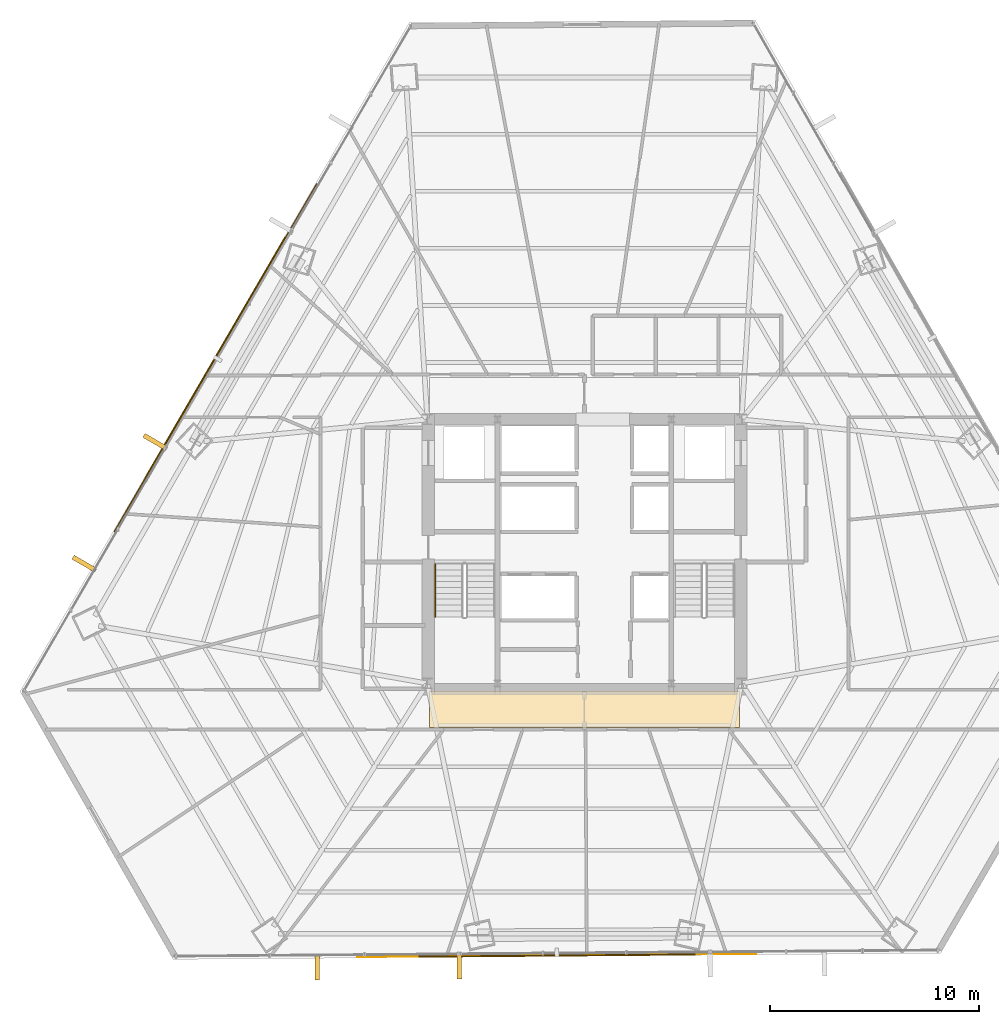
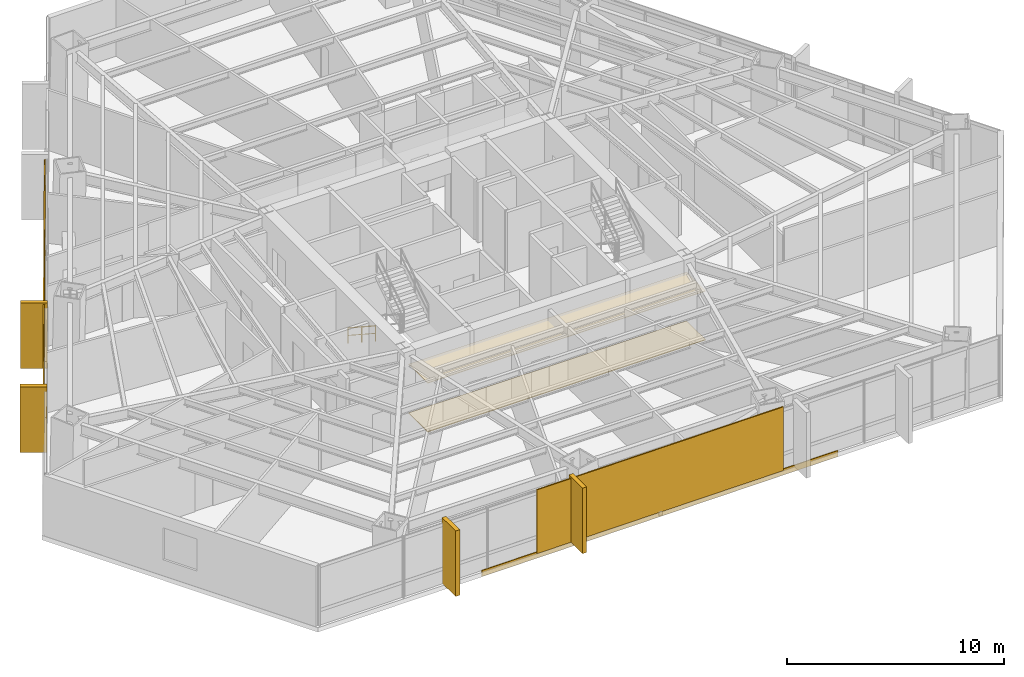
# One storey, part 32 of 34: 8 coverings, 2 shading devices, 1 railing.
"""IFC4 building model written with IfcOpenShell, lengths in metres."""

from ifc_helpers import new_model, si_unit, direction, frame, origin, origin_2d, place, context, subcontext, project, spatial, polyline, rectangle, outline, extrude, source, transform, mapped, material, layer, layer_set, type_object, type_shapes, element, save


model = new_model("IFC4")

# Units and contexts
model_context = context("Model", 3, precision=1e-05, world=origin(), true_north=direction((0.0, 1.0)))
body_context = subcontext(model_context, "Body", "Model", "MODEL_VIEW")
ifc_project = project(units=[si_unit("LENGTHUNIT", "METRE"), si_unit("AREAUNIT", "SQUARE_METRE"), si_unit("VOLUMEUNIT", "CUBIC_METRE"), si_unit("PLANEANGLEUNIT", "RADIAN"), si_unit("MASSUNIT", "GRAM", prefix="KILO")], contexts=[model_context])

# Site, building, storey
site_placement = place(None, origin())
site = spatial("IfcSite", under=ifc_project, at=site_placement, CompositionType="ELEMENT")
building_placement = place(site_placement, origin())
building = spatial("IfcBuilding", under=site, at=building_placement, Name="Caelisora Broadcast Tower", CompositionType="ELEMENT")
storey_placement = place(building_placement, frame((0.0, 0.0, 56.800048828125)))
storey = spatial("IfcBuildingStorey", under=building, at=storey_placement, Name="L14", CompositionType="ELEMENT", Elevation=56.800048828125)

# Coverings
ifc_material_1 = material(Name="Perforated Mineral-Fibre Acoustic Ceiling Tile", Category="gypsum")
ifc_layer_1 = layer(ifc_material_1, 0.034912109375, Name="Perforated Mineral-Fibre Acoustic Ceiling Tile")
ifc_layer_set_1 = layer_set([ifc_layer_1], Name="Perforated Mineral-Fibre Acoustic Ceiling Tile")
covering_type_1 = type_object("IfcCoveringType", Name="CE-1", PredefinedType="CEILING", material=ifc_layer_set_1)
covering_1_placement = place(storey_placement, frame((0.0, 0.0, 2.75)))
element("IfcCovering", 1, at=covering_1_placement, inside=storey, type_object=covering_type_1, Name="L14 acoustic corridor ceiling CE-1 (S)", PredefinedType="CEILING", context=body_context, shape_type="SweptSolid", body=[
    extrude(outline(polyline([(30.60009765625, 15.300048828125), (45.39990234375, 15.300048828125), (45.39990234375, 17.050048828125), (30.60009765625, 17.050048828125), (30.60009765625, 15.300048828125)])), origin(), (0.0, 0.0, 1.0), 0.034912109375),
])
ifc_material_2 = material(Name="Anti-Static Broadcast Raised Access Floor Panel", Category="steel")
ifc_layer_2 = layer(ifc_material_2, 0.044921875, Name="Anti-Static Broadcast Raised Access Floor Panel")
ifc_layer_set_2 = layer_set([ifc_layer_2], Name="Anti-Static Broadcast Raised Access Floor Panel")
covering_type_2 = type_object("IfcCoveringType", Name="FL-1", PredefinedType="FLOORING", material=ifc_layer_set_2)
covering_2_placement = place(storey_placement, origin())
element("IfcCovering", 2, at=covering_2_placement, inside=storey, type_object=covering_type_2, Name="L14 broadcast raised access floor FL-1 (S)", PredefinedType="FLOORING", context=body_context, shape_type="SweptSolid", body=[
    extrude(outline(polyline([(30.60009765625, 15.300048828125), (45.39990234375, 15.300048828125), (45.39990234375, 17.050048828125), (30.60009765625, 17.050048828125), (30.60009765625, 15.300048828125)])), origin(), (0.0, 0.0, 1.0), 0.044921875),
])

# Railing
ifc_material_3 = material(Name="Stainless Steel Grade 316 Tubular Handrail", Category="steel")
ifc_layer_3 = layer(ifc_material_3, 0.048095703125, Name="Stainless Steel Grade 316 Tubular Handrail")
ifc_layer_set_3 = layer_set([ifc_layer_3], Name="Stainless Steel Grade 316 Tubular Handrail")
railing_type = type_object("IfcRailingType", Name="HR-1", PredefinedType="HANDRAIL", material=ifc_layer_set_3)
railing_placement = place(storey_placement, frame((30.8701171875, 23.10009765625, 0.182373046875)))
element("IfcRailing", 3, at=railing_placement, inside=storey, type_object=railing_type, Name="L14 ST-1 stair handrail 1", PredefinedType="HANDRAIL", context=body_context, shape_type="SweptSolid", body=[
    extrude(rectangle(XDim=0.048095703125, YDim=0.048095703125, at=origin_2d()), frame((0.0, 0.0, 0.8759765625), z_axis=(0.0, -0.837749427056, 0.546054848405), x_axis=(1.0, 0.0, 0.0)), (0.0, 0.0, 1.0), 3.008056640625),
    extrude(rectangle(XDim=0.03125, YDim=0.03125, at=origin_2d()), frame((0.0, 0.0, 0.449951171875), z_axis=(0.0, -0.837749427056, 0.546054848405), x_axis=(1.0, 0.0, 0.0)), (0.0, 0.0, 1.0), 3.008056640625),
    extrude(rectangle(XDim=0.0419921875, YDim=0.0419921875, at=origin_2d()), origin(), (0.0, 0.0, 1.0), 0.851806640625),
    extrude(rectangle(XDim=0.0419921875, YDim=0.0419921875, at=origin_2d()), frame((0.0, -1.260009765625, 0.8212890625)), (0.0, 0.0, 1.0), 0.851806640625),
    extrude(rectangle(XDim=0.0419921875, YDim=0.0419921875, at=origin_2d()), frame((0.0, -2.52001953125, 1.642578125)), (0.0, 0.0, 1.0), 0.851806640625),
])

# Coverings
ifc_material_4 = material(Name="Kiln-Fired Terracotta Spandrel Rainscreen Cladding", Category="ceramic")
ifc_layer_4 = layer(ifc_material_4, 0.044921875, Name="Kiln-Fired Terracotta Spandrel Rainscreen Cladding")
ifc_layer_set_4 = layer_set([ifc_layer_4], Name="Kiln-Fired Terracotta Spandrel Rainscreen Cladding")
covering_type_3 = type_object("IfcCoveringType", Name="CL-1", PredefinedType="CLADDING", material=ifc_layer_set_4)
shared_shape_1 = source(origin(), body_context, "Body", "SweptSolid", [
    extrude(rectangle(XDim=0.219970703125, YDim=1.25, at=origin_2d()), origin(), (0.0, 0.0, 1.0), 3.68994140625),
])
for number, where, z_axis, x_axis, name in (
    (4, (32.028076171875, 3.923583984375, -0.02001953125), (0.0, 0.0, 1.0), (-0.999969157645, -0.007853900889, 0.0), "L14 vertical solar fin cladding #2-3"),
    (5, (25.24169921875, 3.869873046875, -0.02001953125), (0.0, 0.0, 1.0), (-0.999969157645, -0.007853900889, 0.0), "L14 vertical solar fin cladding #2-4"),
    (6, (14.127685546875, 23.11279296875, -0.02001953125), (0.0, 0.0, 1.0), (0.50286909456, 0.864362582332, 0.0), "L14 vertical solar fin cladding #3-1"),
    (7, (17.51025390625, 28.9267578125, -0.02001953125), (0.0, 0.0, 1.0), (0.50286909456, 0.864362582332, 0.0), "L14 vertical solar fin cladding #3-2"),
):
    element("IfcCovering", number, at=place(storey_placement, frame(where, z_axis=z_axis, x_axis=x_axis)), inside=storey, type_object=covering_type_3, Name=name, PredefinedType="CLADDING", context=body_context, shape_type="MappedRepresentation", body=[
        mapped(shared_shape_1, transform((0.0, 0.0, 0.0), scale=1.0)),
    ])

# Shading device
ifc_material_5 = material(Name="Perforated Glazed Terracotta Baguette Solar Screen", Category="ceramic")
ifc_layer_5 = layer(ifc_material_5, 0.06494140625, Name="Perforated Glazed Terracotta Baguette Solar Screen")
ifc_layer_set_5 = layer_set([ifc_layer_5], Name="Perforated Glazed Terracotta Baguette Solar Screen")
shading_device_type = type_object("IfcShadingDeviceType", Name="SS-1", PredefinedType="USERDEFINED", material=ifc_layer_set_5)
shared_shape_2 = source(origin(), body_context, "Body", "SweptSolid", [
    extrude(rectangle(XDim=13.294921875, YDim=0.06494140625, at=origin_2d()), origin(), (0.0, 0.0, 1.0), 3.590087890625),
])
shading_device_1_placement = place(storey_placement, frame((20.376220703125, 32.9580078125, 0.0), z_axis=(0.0, 0.0, 1.0), x_axis=(-0.50286909456, -0.864362582332, 0.0)))
element("IfcShadingDevice", 8, at=shading_device_1_placement, inside=storey, type_object=shading_device_type, Name="L14 perforated terracotta solar screen #1", ObjectType="SOLAR SCREEN", PredefinedType="USERDEFINED", context=body_context, shape_type="MappedRepresentation", body=[
    mapped(shared_shape_2, transform((0.0, 0.0, 0.0), scale=1.0)),
])

# Covering
shared_shape_3 = source(origin(), body_context, "Body", "SweptSolid", [
    extrude(rectangle(XDim=19.202880859375, YDim=0.044921875, at=origin_2d()), origin(), (0.0, 0.0, 1.0), 0.340087890625),
])
covering_3_placement = place(storey_placement, frame((20.393310546875, 32.94775390625, -0.27001953125), z_axis=(0.0, 0.0, 1.0), x_axis=(-0.50286909456, -0.864362582332, 0.0)))
element("IfcCovering", 9, at=covering_3_placement, inside=storey, type_object=covering_type_3, Name="L14 terracotta spandrel rainscreen #1", PredefinedType="CLADDING", context=body_context, shape_type="MappedRepresentation", body=[
    mapped(shared_shape_3, transform((0.0, 0.0, 0.0), scale=1.0)),
])

# Shading device
shared_shape_4 = source(origin(), body_context, "Body", "SweptSolid", [
    extrude(rectangle(XDim=13.18994140625, YDim=0.06494140625, at=origin_2d()), origin(), (0.0, 0.0, 1.0), 3.590087890625),
])
type_shapes(shading_device_type, [shared_shape_2, shared_shape_4])
shading_device_2_placement = place(storey_placement, frame((36.68310546875, 4.410400390625, 0.0), z_axis=(0.0, 0.0, 1.0), x_axis=(0.99996777165, 0.00802842831, 0.0)))
element("IfcShadingDevice", 10, at=shading_device_2_placement, inside=storey, type_object=shading_device_type, Name="L14 perforated terracotta solar screen #2", ObjectType="SOLAR SCREEN", PredefinedType="USERDEFINED", context=body_context, shape_type="MappedRepresentation", body=[
    mapped(shared_shape_4, transform((0.0, 0.0, 0.0), scale=1.0)),
])

# Covering
shared_shape_5 = source(origin(), body_context, "Body", "SweptSolid", [
    extrude(rectangle(XDim=19.052978515625, YDim=0.044921875, at=origin_2d()), origin(), (0.0, 0.0, 1.0), 0.340087890625),
])
type_shapes(covering_type_3, [shared_shape_1, shared_shape_3, shared_shape_5])
covering_4_placement = place(storey_placement, frame((36.68310546875, 4.430419921875, -0.27001953125), z_axis=(0.0, 0.0, 1.0), x_axis=(0.99996777165, 0.00802842831, 0.0)))
element("IfcCovering", 11, at=covering_4_placement, inside=storey, type_object=covering_type_3, Name="L14 terracotta spandrel rainscreen #2", PredefinedType="CLADDING", context=body_context, shape_type="MappedRepresentation", body=[
    mapped(shared_shape_5, transform((0.0, 0.0, 0.0), scale=1.0)),
])

save(model, "model.ifc")
